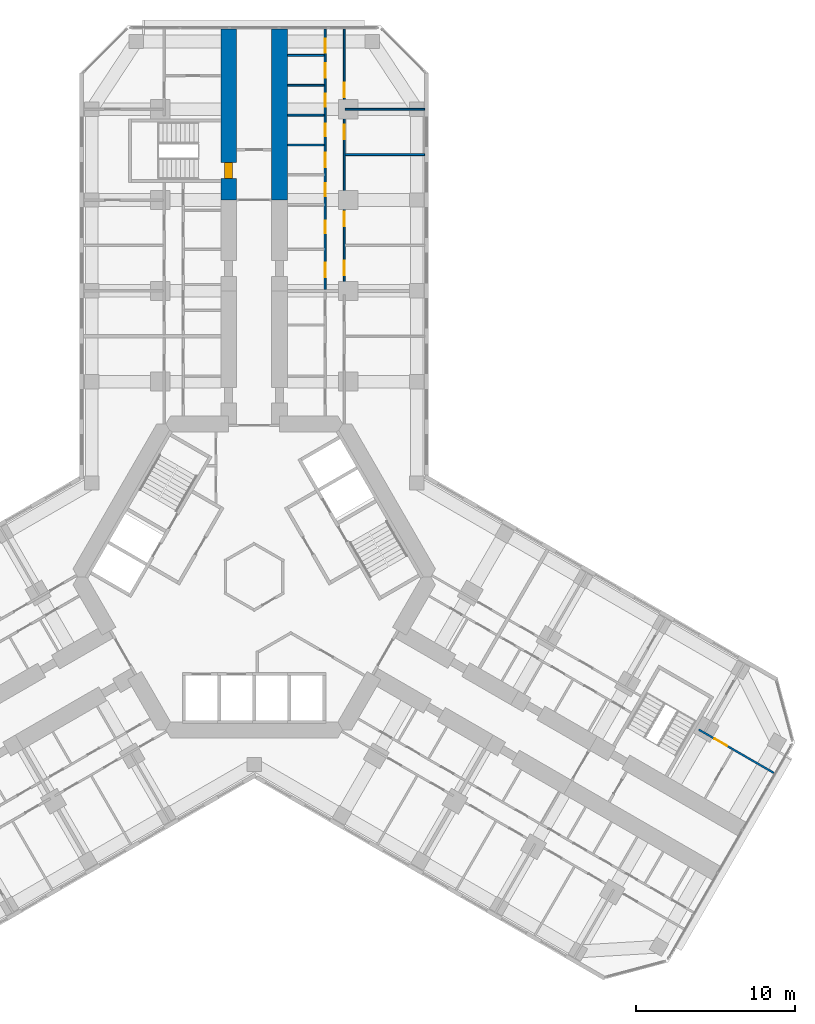
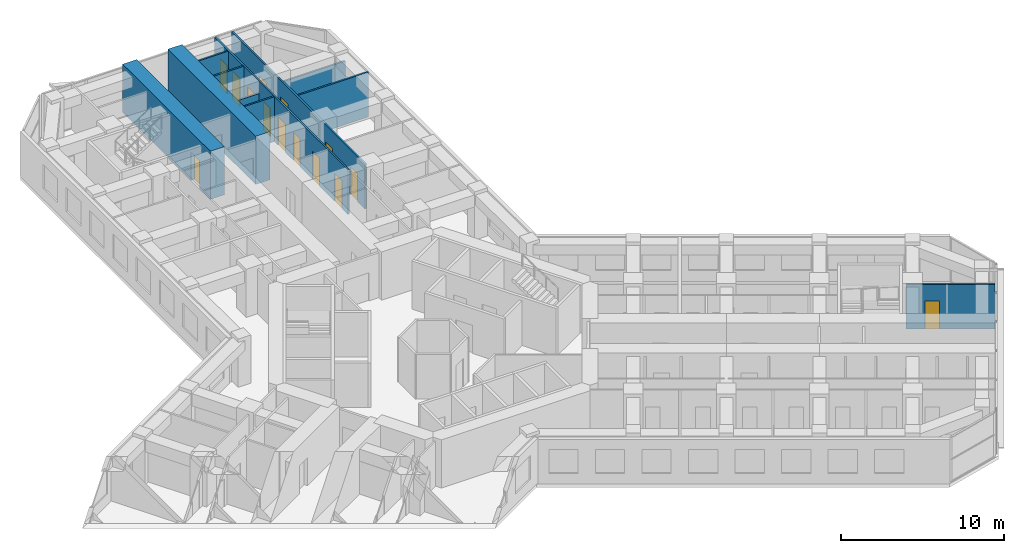
# One storey, part 20 of 22: 14 doors, 11 walls, 14 openings.
"""IFC4 building model written with IfcOpenShell, lengths in metres."""

from ifc_helpers import new_model, si_unit, direction, frame, frame_2d, origin, place, context, subcontext, project, spatial, rectangle, extrude, material, layer, layer_set, type_object, element, fill, save


model = new_model("IFC4")

# Units and contexts
model_context = context("Model", 3, precision=1e-05, world=origin(), true_north=direction((0.0, 1.0)))
body_context = subcontext(model_context, "Body", "Model", "MODEL_VIEW")
ifc_project = project(units=[si_unit("LENGTHUNIT", "METRE"), si_unit("AREAUNIT", "SQUARE_METRE"), si_unit("VOLUMEUNIT", "CUBIC_METRE"), si_unit("PLANEANGLEUNIT", "RADIAN"), si_unit("MASSUNIT", "GRAM", prefix="KILO")], contexts=[model_context])

# Site, building, storey
site_placement = place(None, origin())
site = spatial("IfcSite", under=ifc_project, at=site_placement, CompositionType="ELEMENT")
building_placement = place(site_placement, origin())
building = spatial("IfcBuilding", under=site, at=building_placement, Name="Kosmar Iwan School Tower", CompositionType="ELEMENT")
storey_placement = place(building_placement, frame((0.0, 0.0, 91.60009765625)))
storey = spatial("IfcBuildingStorey", under=building, at=storey_placement, Name="L22", CompositionType="ELEMENT", Elevation=91.60009765625)

# Wall, opening, door
ifc_material_1 = material(Name="Concrete C50/60", Category="concrete")
ifc_layer_1 = layer(ifc_material_1, 1.0)
ifc_layer_set_1 = layer_set([ifc_layer_1], Name="Corridor buttress wall 1000")
wall_type_1 = type_object("IfcWallType", Name="Corridor buttress wall 1000", PredefinedType="SHEAR", material=ifc_layer_set_1)
wall_1_placement = place(storey_placement, frame((-1.60009765625, 23.64990234375, 0.0), z_axis=(0.0, 0.0, 1.0), x_axis=(0.0, 1.0, 0.0)))
wall_1 = element("IfcWall", 1, at=wall_1_placement, inside=storey, type_object=wall_type_1, Name="Corridor wall AL bay 3", PredefinedType="SHEAR", context=body_context, shape_type="SweptSolid", body=[
    extrude(rectangle(XDim=10.7451171875, YDim=1.0, at=frame_2d((5.37255859375, 0.0))), origin(), (0.0, 0.0, 1.0), 3.599853515625),
])
opening_1_placement = place(wall_1_placement, frame((1.35009765625, 0.0, 0.0)))
opening_1 = element("IfcOpeningElement", 2, at=opening_1_placement, cuts=wall_1, Name="Opening D6", PredefinedType="OPENING", context=body_context, shape_type="SweptSolid", body=[
    extrude(rectangle(XDim=1.0, YDim=2.10009765625, at=frame_2d((0.5, 1.050048828125))), frame((0.0, 0.511962890625, 0.0), z_axis=(0.0, -1.0, 0.0), x_axis=(1.0, 0.0, 0.0)), (0.0, 0.0, 1.0), 1.02392578125),
])
ifc_material_2 = material(Name="Steel fire door", Category="steel")
door_type_1 = type_object("IfcDoorType", Name="Stair door 1000x2100", OperationType="SINGLE_SWING_LEFT", PredefinedType="DOOR", material=ifc_material_2)
door_1_placement = place(opening_1_placement, origin())
door_1 = element("IfcDoor", 3, at=door_1_placement, inside=storey, type_object=door_type_1, Name="Stair WS1 door L22", OperationType="SINGLE_SWING_LEFT", OverallHeight=2.10009765625, OverallWidth=1.0, PredefinedType="DOOR", context=body_context, shape_type="SweptSolid", body=[
    extrude(rectangle(XDim=1.0, YDim=2.10009765625, at=frame_2d((0.5, 1.050048828125))), frame((0.0, 0.25, 0.0), z_axis=(0.0, -1.0, 0.0), x_axis=(1.0, 0.0, 0.0)), (0.0, 0.0, 1.0), 0.5),
])
fill(opening_1, door_1)

# Wall
wall_2_placement = place(storey_placement, frame((1.60009765625, 23.64990234375, 0.0), z_axis=(0.0, 0.0, 1.0), x_axis=(0.0, 1.0, 0.0)))
element("IfcWall", 4, at=wall_2_placement, inside=storey, type_object=wall_type_1, Name="Corridor wall AR bay 3", PredefinedType="SHEAR", context=body_context, shape_type="SweptSolid", body=[
    extrude(rectangle(XDim=10.7451171875, YDim=1.0, at=frame_2d((5.37255859375, 0.0))), origin(), (0.0, 0.0, 1.0), 3.599853515625),
])

# Wall, openings, doors
ifc_material_3 = material(Name="Gypsum board on steel studs", Category="steel")
ifc_layer_2 = layer(ifc_material_3, 0.1201171875)
ifc_layer_set_2 = layer_set([ifc_layer_2], Name="Dwelling partition 120")
wall_type_2 = type_object("IfcWallType", Name="Dwelling partition 120", PredefinedType="PARTITIONING", material=ifc_layer_set_2)
wall_3_placement = place(storey_placement, frame((4.449951171875, 18.050048828125, 0.0), z_axis=(0.0, 0.0, 1.0), x_axis=(0.0, 1.0, 0.0)))
wall_3 = element("IfcWall", 5, at=wall_3_placement, inside=storey, type_object=wall_type_2, Name="Partition L22-AR2-W1", PredefinedType="PARTITIONING", context=body_context, shape_type="SweptSolid", body=[
    extrude(rectangle(XDim=16.344970703125, YDim=0.1201171875, at=frame_2d((8.17236328125, 0.0))), origin(), (0.0, 0.0, 1.0), 3.349853515625),
])
opening_2_placement = place(wall_3_placement, frame((0.75, 0.0, 0.0)))
opening_2 = element("IfcOpeningElement", 6, at=opening_2_placement, cuts=wall_3, Name="Opening D2", PredefinedType="OPENING", context=body_context, shape_type="SweptSolid", body=[
    extrude(rectangle(XDim=0.89990234375, YDim=2.10009765625, at=frame_2d((0.449951171875, 1.050048828125))), frame((0.0, 0.072021484375, 0.0), z_axis=(0.0, -1.0, 0.0), x_axis=(1.0, 0.0, 0.0)), (0.0, 0.0, 1.0), 0.14404296875),
])
opening_3_placement = place(wall_3_placement, frame((3.505126953125, 0.0, 0.0)))
opening_3 = element("IfcOpeningElement", 7, at=opening_3_placement, cuts=wall_3, Name="Opening D3", PredefinedType="OPENING", context=body_context, shape_type="SweptSolid", body=[
    extrude(rectangle(XDim=0.800048828125, YDim=2.10009765625, at=frame_2d((0.39990234375, 1.050048828125))), frame((0.0, 0.072021484375, 0.0), z_axis=(0.0, -1.0, 0.0), x_axis=(1.0, 0.0, 0.0)), (0.0, 0.0, 1.0), 0.14404296875),
])
opening_4_placement = place(wall_3_placement, frame((5.8466796875, 0.0, 0.0)))
opening_4 = element("IfcOpeningElement", 8, at=opening_4_placement, cuts=wall_3, Name="Opening D3", PredefinedType="OPENING", context=body_context, shape_type="SweptSolid", body=[
    extrude(rectangle(XDim=0.800048828125, YDim=2.10009765625, at=frame_2d((0.39990234375, 1.050048828125))), frame((0.0, 0.072021484375, 0.0), z_axis=(0.0, -1.0, 0.0), x_axis=(1.0, 0.0, 0.0)), (0.0, 0.0, 1.0), 0.14404296875),
])
opening_5_placement = place(wall_3_placement, frame((7.669921875, 0.0, 0.0)))
opening_5 = element("IfcOpeningElement", 9, at=opening_5_placement, cuts=wall_3, Name="Opening D2", PredefinedType="OPENING", context=body_context, shape_type="SweptSolid", body=[
    extrude(rectangle(XDim=0.89990234375, YDim=2.10009765625, at=frame_2d((0.449951171875, 1.050048828125))), frame((0.0, 0.072021484375, 0.0), z_axis=(0.0, -1.0, 0.0), x_axis=(1.0, 0.0, 0.0)), (0.0, 0.0, 1.0), 0.14404296875),
])
opening_6_placement = place(wall_3_placement, frame((9.59326171875, 0.0, 0.0)))
opening_6 = element("IfcOpeningElement", 10, at=opening_6_placement, cuts=wall_3, Name="Opening D3", PredefinedType="OPENING", context=body_context, shape_type="SweptSolid", body=[
    extrude(rectangle(XDim=0.800048828125, YDim=2.10009765625, at=frame_2d((0.39990234375, 1.050048828125))), frame((0.0, 0.072021484375, 0.0), z_axis=(0.0, -1.0, 0.0), x_axis=(1.0, 0.0, 0.0)), (0.0, 0.0, 1.0), 0.14404296875),
])
opening_7_placement = place(wall_3_placement, frame((11.466796875, 0.0, 0.0)))
opening_7 = element("IfcOpeningElement", 11, at=opening_7_placement, cuts=wall_3, Name="Opening D3", PredefinedType="OPENING", context=body_context, shape_type="SweptSolid", body=[
    extrude(rectangle(XDim=0.800048828125, YDim=2.10009765625, at=frame_2d((0.39990234375, 1.050048828125))), frame((0.0, 0.072021484375, 0.0), z_axis=(0.0, -1.0, 0.0), x_axis=(1.0, 0.0, 0.0)), (0.0, 0.0, 1.0), 0.14404296875),
])
opening_8_placement = place(wall_3_placement, frame((13.2900390625, 0.0, 0.0)))
opening_8 = element("IfcOpeningElement", 12, at=opening_8_placement, cuts=wall_3, Name="Opening D2", PredefinedType="OPENING", context=body_context, shape_type="SweptSolid", body=[
    extrude(rectangle(XDim=0.89990234375, YDim=2.10009765625, at=frame_2d((0.449951171875, 1.050048828125))), frame((0.0, 0.072021484375, 0.0), z_axis=(0.0, -1.0, 0.0), x_axis=(1.0, 0.0, 0.0)), (0.0, 0.0, 1.0), 0.14404296875),
])
opening_9_placement = place(wall_3_placement, frame((14.836669921875, 0.0, 0.0)))
opening_9 = element("IfcOpeningElement", 13, at=opening_9_placement, cuts=wall_3, Name="Opening D2", PredefinedType="OPENING", context=body_context, shape_type="SweptSolid", body=[
    extrude(rectangle(XDim=0.89990234375, YDim=2.10009765625, at=frame_2d((0.449951171875, 1.050048828125))), frame((0.0, 0.072021484375, 0.0), z_axis=(0.0, -1.0, 0.0), x_axis=(1.0, 0.0, 0.0)), (0.0, 0.0, 1.0), 0.14404296875),
])
ifc_material_4 = material(Name="Timber door in timber frame", Category="wood")
door_type_2 = type_object("IfcDoorType", Name="Internal door 900x2100", OperationType="SINGLE_SWING_LEFT", PredefinedType="DOOR", material=ifc_material_4)
door_2_placement = place(opening_2_placement, origin())
door_2 = element("IfcDoor", 14, at=door_2_placement, inside=storey, type_object=door_type_2, Name="Entrance hall door L22-AR2-S1", OperationType="SINGLE_SWING_LEFT", OverallHeight=2.10009765625, OverallWidth=0.89990234375, PredefinedType="DOOR", context=body_context, shape_type="SweptSolid", body=[
    extrude(rectangle(XDim=0.89990234375, YDim=2.10009765625, at=frame_2d((0.449951171875, 1.050048828125))), frame((0.0, 0.02490234375, 0.0), z_axis=(0.0, -1.0, 0.0), x_axis=(1.0, 0.0, 0.0)), (0.0, 0.0, 1.0), 0.050048828125),
])
fill(opening_2, door_2)
door_3_placement = place(opening_5_placement, origin())
door_3 = element("IfcDoor", 15, at=door_3_placement, inside=storey, type_object=door_type_2, Name="Pantry door L22-AR2-S4", OperationType="SINGLE_SWING_RIGHT", OverallHeight=2.10009765625, OverallWidth=0.89990234375, PredefinedType="DOOR", context=body_context, shape_type="SweptSolid", body=[
    extrude(rectangle(XDim=0.89990234375, YDim=2.10009765625, at=frame_2d((0.449951171875, 1.050048828125))), frame((0.0, 0.02490234375, 0.0), z_axis=(0.0, -1.0, 0.0), x_axis=(1.0, 0.0, 0.0)), (0.0, 0.0, 1.0), 0.050048828125),
])
fill(opening_5, door_3)
door_4_placement = place(opening_8_placement, origin())
door_4 = element("IfcDoor", 16, at=door_4_placement, inside=storey, type_object=door_type_2, Name="Utility room door L22-AR2-S7", OperationType="SINGLE_SWING_LEFT", OverallHeight=2.10009765625, OverallWidth=0.89990234375, PredefinedType="DOOR", context=body_context, shape_type="SweptSolid", body=[
    extrude(rectangle(XDim=0.89990234375, YDim=2.10009765625, at=frame_2d((0.449951171875, 1.050048828125))), frame((0.0, 0.02490234375, 0.0), z_axis=(0.0, -1.0, 0.0), x_axis=(1.0, 0.0, 0.0)), (0.0, 0.0, 1.0), 0.050048828125),
])
fill(opening_8, door_4)
door_5_placement = place(opening_9_placement, origin())
door_5 = element("IfcDoor", 17, at=door_5_placement, inside=storey, type_object=door_type_2, Name="Dressing room door L22-AR2-S8", OperationType="SINGLE_SWING_LEFT", OverallHeight=2.10009765625, OverallWidth=0.89990234375, PredefinedType="DOOR", context=body_context, shape_type="SweptSolid", body=[
    extrude(rectangle(XDim=0.89990234375, YDim=2.10009765625, at=frame_2d((0.449951171875, 1.050048828125))), frame((0.0, 0.02490234375, 0.0), z_axis=(0.0, -1.0, 0.0), x_axis=(1.0, 0.0, 0.0)), (0.0, 0.0, 1.0), 0.050048828125),
])
fill(opening_9, door_5)
ifc_material_5 = material(Name="Timber door in timber frame", Category="wood")
door_type_3 = type_object("IfcDoorType", Name="Sanitary room door 800x2100", OperationType="SINGLE_SWING_LEFT", PredefinedType="DOOR", material=ifc_material_5)
door_6_placement = place(opening_3_placement, origin())
door_6 = element("IfcDoor", 18, at=door_6_placement, inside=storey, type_object=door_type_3, Name="Bathroom door L22-AR2-S2", OperationType="SINGLE_SWING_RIGHT", OverallHeight=2.10009765625, OverallWidth=0.800048828125, PredefinedType="DOOR", context=body_context, shape_type="SweptSolid", body=[
    extrude(rectangle(XDim=0.800048828125, YDim=2.10009765625, at=frame_2d((0.39990234375, 1.050048828125))), frame((0.0, 0.02490234375, 0.0), z_axis=(0.0, -1.0, 0.0), x_axis=(1.0, 0.0, 0.0)), (0.0, 0.0, 1.0), 0.050048828125),
])
fill(opening_3, door_6)
door_7_placement = place(opening_4_placement, origin())
door_7 = element("IfcDoor", 19, at=door_7_placement, inside=storey, type_object=door_type_3, Name="Shower room door L22-AR2-S3", OperationType="SINGLE_SWING_LEFT", OverallHeight=2.10009765625, OverallWidth=0.800048828125, PredefinedType="DOOR", context=body_context, shape_type="SweptSolid", body=[
    extrude(rectangle(XDim=0.800048828125, YDim=2.10009765625, at=frame_2d((0.39990234375, 1.050048828125))), frame((0.0, 0.02490234375, 0.0), z_axis=(0.0, -1.0, 0.0), x_axis=(1.0, 0.0, 0.0)), (0.0, 0.0, 1.0), 0.050048828125),
])
fill(opening_4, door_7)
door_8_placement = place(opening_6_placement, origin())
door_8 = element("IfcDoor", 20, at=door_8_placement, inside=storey, type_object=door_type_3, Name="WC door L22-AR2-S5", OperationType="SINGLE_SWING_LEFT", OverallHeight=2.10009765625, OverallWidth=0.800048828125, PredefinedType="DOOR", context=body_context, shape_type="SweptSolid", body=[
    extrude(rectangle(XDim=0.800048828125, YDim=2.10009765625, at=frame_2d((0.39990234375, 1.050048828125))), frame((0.0, 0.02490234375, 0.0), z_axis=(0.0, -1.0, 0.0), x_axis=(1.0, 0.0, 0.0)), (0.0, 0.0, 1.0), 0.050048828125),
])
fill(opening_6, door_8)
door_9_placement = place(opening_7_placement, origin())
door_9 = element("IfcDoor", 21, at=door_9_placement, inside=storey, type_object=door_type_3, Name="Store door L22-AR2-S6", OperationType="SINGLE_SWING_RIGHT", OverallHeight=2.10009765625, OverallWidth=0.800048828125, PredefinedType="DOOR", context=body_context, shape_type="SweptSolid", body=[
    extrude(rectangle(XDim=0.800048828125, YDim=2.10009765625, at=frame_2d((0.39990234375, 1.050048828125))), frame((0.0, 0.02490234375, 0.0), z_axis=(0.0, -1.0, 0.0), x_axis=(1.0, 0.0, 0.0)), (0.0, 0.0, 1.0), 0.050048828125),
])
fill(opening_7, door_9)

wall_4_placement = place(storey_placement, frame((5.64990234375, 18.050048828125, 0.0), z_axis=(0.0, 0.0, 1.0), x_axis=(0.0, 1.0, 0.0)))
wall_4 = element("IfcWall", 22, at=wall_4_placement, inside=storey, type_object=wall_type_2, Name="Partition L22-AR2-W2", PredefinedType="PARTITIONING", context=body_context, shape_type="SweptSolid", body=[
    extrude(rectangle(XDim=16.344970703125, YDim=0.1201171875, at=frame_2d((8.17236328125, 0.0))), origin(), (0.0, 0.0, 1.0), 3.349853515625),
])
opening_10_placement = place(wall_4_placement, frame((0.875, 0.0, 0.0)))
opening_10 = element("IfcOpeningElement", 23, at=opening_10_placement, cuts=wall_4, Name="Opening D2", PredefinedType="OPENING", context=body_context, shape_type="SweptSolid", body=[
    extrude(rectangle(XDim=0.89990234375, YDim=2.10009765625, at=frame_2d((0.449951171875, 1.050048828125))), frame((0.0, 0.072021484375, 0.0), z_axis=(0.0, -1.0, 0.0), x_axis=(1.0, 0.0, 0.0)), (0.0, 0.0, 1.0), 0.14404296875),
])
opening_11_placement = place(wall_4_placement, frame((3.949951171875, 0.0, 0.0)))
opening_11 = element("IfcOpeningElement", 24, at=opening_11_placement, cuts=wall_4, Name="Opening D2", PredefinedType="OPENING", context=body_context, shape_type="SweptSolid", body=[
    extrude(rectangle(XDim=0.89990234375, YDim=2.10009765625, at=frame_2d((0.449951171875, 1.050048828125))), frame((0.0, 0.072021484375, 0.0), z_axis=(0.0, -1.0, 0.0), x_axis=(1.0, 0.0, 0.0)), (0.0, 0.0, 1.0), 0.14404296875),
])
opening_12_placement = place(wall_4_placement, frame((9.425048828125, 0.0, 0.0)))
opening_12 = element("IfcOpeningElement", 25, at=opening_12_placement, cuts=wall_4, Name="Opening D2", PredefinedType="OPENING", context=body_context, shape_type="SweptSolid", body=[
    extrude(rectangle(XDim=0.89990234375, YDim=2.10009765625, at=frame_2d((0.449951171875, 1.050048828125))), frame((0.0, 0.072021484375, 0.0), z_axis=(0.0, -1.0, 0.0), x_axis=(1.0, 0.0, 0.0)), (0.0, 0.0, 1.0), 0.14404296875),
])
opening_13_placement = place(wall_4_placement, frame((12.050048828125, 0.0, 0.0)))
opening_13 = element("IfcOpeningElement", 26, at=opening_13_placement, cuts=wall_4, Name="Opening D2", PredefinedType="OPENING", context=body_context, shape_type="SweptSolid", body=[
    extrude(rectangle(XDim=0.89990234375, YDim=2.10009765625, at=frame_2d((0.449951171875, 1.050048828125))), frame((0.0, 0.072021484375, 0.0), z_axis=(0.0, -1.0, 0.0), x_axis=(1.0, 0.0, 0.0)), (0.0, 0.0, 1.0), 0.14404296875),
])
door_10_placement = place(opening_10_placement, origin())
door_10 = element("IfcDoor", 27, at=door_10_placement, inside=storey, type_object=door_type_2, Name="Bedroom 1 door L22-AR2-F1", OperationType="SINGLE_SWING_LEFT", OverallHeight=2.10009765625, OverallWidth=0.89990234375, PredefinedType="DOOR", context=body_context, shape_type="SweptSolid", body=[
    extrude(rectangle(XDim=0.89990234375, YDim=2.10009765625, at=frame_2d((0.449951171875, 1.050048828125))), frame((0.0, 0.02490234375, 0.0), z_axis=(0.0, -1.0, 0.0), x_axis=(1.0, 0.0, 0.0)), (0.0, 0.0, 1.0), 0.050048828125),
])
fill(opening_10, door_10)
door_11_placement = place(opening_11_placement, origin())
door_11 = element("IfcDoor", 28, at=door_11_placement, inside=storey, type_object=door_type_2, Name="Living room and kitchen door L22-AR2-F2", OperationType="SINGLE_SWING_LEFT", OverallHeight=2.10009765625, OverallWidth=0.89990234375, PredefinedType="DOOR", context=body_context, shape_type="SweptSolid", body=[
    extrude(rectangle(XDim=0.89990234375, YDim=2.10009765625, at=frame_2d((0.449951171875, 1.050048828125))), frame((0.0, 0.02490234375, 0.0), z_axis=(0.0, -1.0, 0.0), x_axis=(1.0, 0.0, 0.0)), (0.0, 0.0, 1.0), 0.050048828125),
])
fill(opening_11, door_11)
door_12_placement = place(opening_12_placement, origin())
door_12 = element("IfcDoor", 29, at=door_12_placement, inside=storey, type_object=door_type_2, Name="Winter garden door L22-AR2-F3", OperationType="SINGLE_SWING_RIGHT", OverallHeight=2.10009765625, OverallWidth=0.89990234375, PredefinedType="DOOR", context=body_context, shape_type="SweptSolid", body=[
    extrude(rectangle(XDim=0.89990234375, YDim=2.10009765625, at=frame_2d((0.449951171875, 1.050048828125))), frame((0.0, 0.02490234375, 0.0), z_axis=(0.0, -1.0, 0.0), x_axis=(1.0, 0.0, 0.0)), (0.0, 0.0, 1.0), 0.050048828125),
])
fill(opening_12, door_12)
door_13_placement = place(opening_13_placement, origin())
door_13 = element("IfcDoor", 30, at=door_13_placement, inside=storey, type_object=door_type_2, Name="Bedroom 2 door L22-AR2-F4", OperationType="SINGLE_SWING_RIGHT", OverallHeight=2.10009765625, OverallWidth=0.89990234375, PredefinedType="DOOR", context=body_context, shape_type="SweptSolid", body=[
    extrude(rectangle(XDim=0.89990234375, YDim=2.10009765625, at=frame_2d((0.449951171875, 1.050048828125))), frame((0.0, 0.02490234375, 0.0), z_axis=(0.0, -1.0, 0.0), x_axis=(1.0, 0.0, 0.0)), (0.0, 0.0, 1.0), 0.050048828125),
])
fill(opening_13, door_13)

# Walls
wall_5_placement = place(storey_placement, frame((5.7099609375, 26.5, 0.0), z_axis=(0.0, 0.0, 1.0), x_axis=(1.0, 0.0, 0.0)))
element("IfcWall", 31, at=wall_5_placement, inside=storey, type_object=wall_type_2, Name="Partition L22-AR2-X2", PredefinedType="PARTITIONING", context=body_context, shape_type="SweptSolid", body=[
    extrude(rectangle(XDim=4.989990234375, YDim=0.1201171875, at=frame_2d((2.4951171875, 0.0))), origin(), (0.0, 0.0, 1.0), 3.349853515625),
])
wall_6_placement = place(storey_placement, frame((5.7099609375, 29.35009765625, 0.0), z_axis=(0.0, 0.0, 1.0), x_axis=(1.0, 0.0, 0.0)))
element("IfcWall", 32, at=wall_6_placement, inside=storey, type_object=wall_type_2, Name="Partition L22-AR2-X3", PredefinedType="PARTITIONING", context=body_context, shape_type="SweptSolid", body=[
    extrude(rectangle(XDim=4.989990234375, YDim=0.1201171875, at=frame_2d((2.4951171875, 0.0))), origin(), (0.0, 0.0, 1.0), 2.449951171875),
])
wall_7_placement = place(storey_placement, frame((2.10009765625, 27.106689453125, 0.0), z_axis=(0.0, 0.0, 1.0), x_axis=(1.0, 0.0, 0.0)))
element("IfcWall", 33, at=wall_7_placement, inside=storey, type_object=wall_type_2, Name="Partition L22-AR2-Y4", PredefinedType="PARTITIONING", context=body_context, shape_type="SweptSolid", body=[
    extrude(rectangle(XDim=2.289794921875, YDim=0.1201171875, at=frame_2d((1.14501953125, 0.0))), origin(), (0.0, 0.0, 1.0), 3.349853515625),
])
wall_8_placement = place(storey_placement, frame((2.10009765625, 28.97998046875, 0.0), z_axis=(0.0, 0.0, 1.0), x_axis=(1.0, 0.0, 0.0)))
element("IfcWall", 34, at=wall_8_placement, inside=storey, type_object=wall_type_2, Name="Partition L22-AR2-Y5", PredefinedType="PARTITIONING", context=body_context, shape_type="SweptSolid", body=[
    extrude(rectangle(XDim=2.289794921875, YDim=0.1201171875, at=frame_2d((1.14501953125, 0.0))), origin(), (0.0, 0.0, 1.0), 2.449951171875),
])
for number, where, z_axis, x_axis, name in (
    (35, (2.10009765625, 30.853271484375, 0.0), (0.0, 0.0, 1.0), (1.0, 0.0, 0.0), "Partition L22-AR2-Y6"),
    (36, (2.10009765625, 32.7265625, 0.0), (0.0, 0.0, 1.0), (1.0, 0.0, 0.0), "Partition L22-AR2-Y7"),
):
    element("IfcWall", number, at=place(storey_placement, frame(where, z_axis=z_axis, x_axis=x_axis)), inside=storey, type_object=wall_type_2, Name=name, PredefinedType="PARTITIONING", context=body_context, shape_type="SweptSolid", body=[
        extrude(rectangle(XDim=2.289794921875, YDim=0.1201171875, at=frame_2d((1.14501953125, 0.0))), origin(), (0.0, 0.0, 1.0), 3.349853515625),
    ])

# Wall, opening, door
wall_9_placement = place(storey_placement, frame((27.896484375, -9.58203125, 0.0), z_axis=(0.0, 0.0, 1.0), x_axis=(0.866035508231, -0.499982498177, 0.0)))
wall_9 = element("IfcWall", 37, at=wall_9_placement, inside=storey, type_object=wall_type_2, Name="Partition L22-CL2-TW", PredefinedType="PARTITIONING", context=body_context, shape_type="SweptSolid", body=[
    extrude(rectangle(XDim=5.445068359375, YDim=0.1201171875, at=frame_2d((2.72265625, 0.0))), origin(), (0.0, 0.0, 1.0), 3.349853515625),
])
opening_14_placement = place(wall_9_placement, frame((1.14990234375, 0.0, 0.0)))
opening_14 = element("IfcOpeningElement", 38, at=opening_14_placement, cuts=wall_9, Name="Opening D2", PredefinedType="OPENING", context=body_context, shape_type="SweptSolid", body=[
    extrude(rectangle(XDim=0.89990234375, YDim=2.10009765625, at=frame_2d((0.449951171875, 1.050048828125))), frame((0.0, 0.072021484375, 0.0), z_axis=(0.0, -1.0, 0.0), x_axis=(1.0, 0.0, 0.0)), (0.0, 0.0, 1.0), 0.14404296875),
])
door_14_placement = place(opening_14_placement, origin())
door_14 = element("IfcDoor", 39, at=door_14_placement, inside=storey, type_object=door_type_2, Name="Dressing room door L22-CL2-T3", OperationType="SINGLE_SWING_LEFT", OverallHeight=2.10009765625, OverallWidth=0.89990234375, PredefinedType="DOOR", context=body_context, shape_type="SweptSolid", body=[
    extrude(rectangle(XDim=0.89990234375, YDim=2.10009765625, at=frame_2d((0.449951171875, 1.050048828125))), frame((0.0, 0.02490234375, 0.0), z_axis=(0.0, -1.0, 0.0), x_axis=(1.0, 0.0, 0.0)), (0.0, 0.0, 1.0), 0.050048828125),
])
fill(opening_14, door_14)

save(model, "model.ifc")
